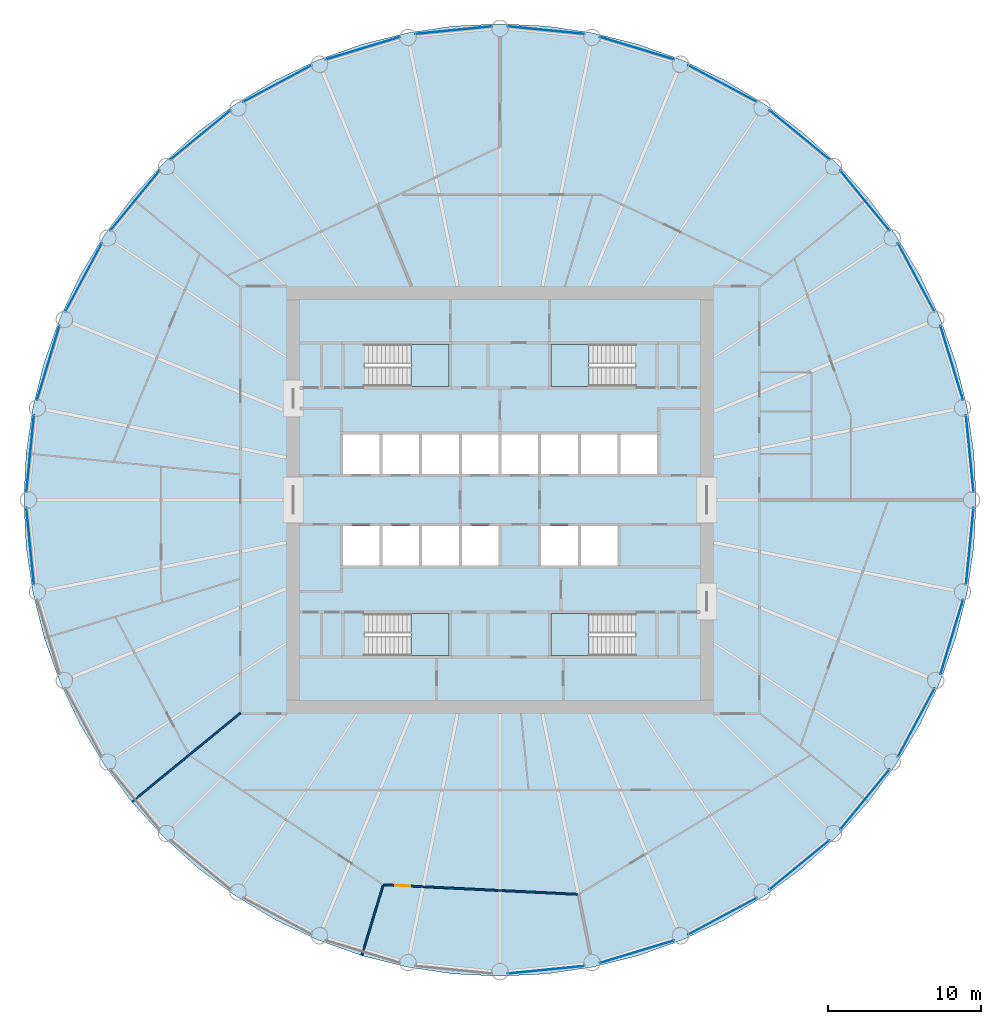
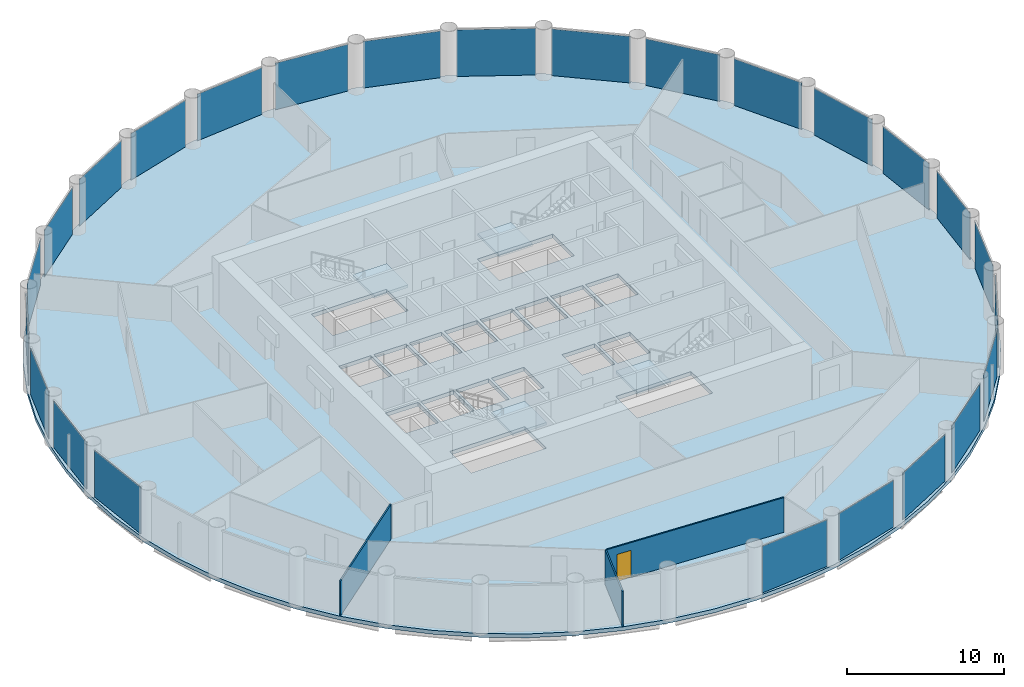
# One storey, part 3 of 9: 25 plates, 5 slabs, 3 walls, 1 door, 1 opening, 29 elements without a shape of their own.
"""IFC4 building model written with IfcOpenShell, lengths in metres."""

from ifc_helpers import new_model, si_unit, direction, frame, frame_2d, origin, origin_2d, place, context, subcontext, project, spatial, polyline, rectangle, outline, extrude, material, layer, layer_set, type_object, element, fill, aggregate, save


model = new_model("IFC4")

# Units and contexts
model_context = context("Model", 3, precision=1e-05, world=origin(), true_north=direction((0.0, 1.0)))
body_context = subcontext(model_context, "Body", "Model", "MODEL_VIEW")
ifc_project = project(units=[si_unit("LENGTHUNIT", "METRE"), si_unit("AREAUNIT", "SQUARE_METRE"), si_unit("VOLUMEUNIT", "CUBIC_METRE"), si_unit("PLANEANGLEUNIT", "RADIAN"), si_unit("MASSUNIT", "GRAM", prefix="KILO")], contexts=[model_context])

# Site, building, storey
site_placement = place(None, origin())
site = spatial("IfcSite", under=ifc_project, at=site_placement, CompositionType="ELEMENT")
building_placement = place(site_placement, origin())
building = spatial("IfcBuilding", under=site, at=building_placement, Name="Corvane Civic Tower", CompositionType="ELEMENT")
storey_placement = place(building_placement, frame((0.0, 0.0, 148.0)))
storey = spatial("IfcBuildingStorey", under=building, at=storey_placement, Name="L34", CompositionType="ELEMENT", Elevation=148.0)

# Slab
ifc_material_1 = material(Name="Concrete C40/50", Category="concrete")
ifc_layer_1 = layer(ifc_material_1, 0.300048828125)
ifc_layer_set_1 = layer_set([ifc_layer_1], Name="Concrete C40/50")
slab_type_1 = type_object("IfcSlabType", Name="FLOOR SLAB 300", PredefinedType="FLOOR", material=ifc_layer_set_1)
slab_1_placement = place(storey_placement, frame((0.0, 0.0, -0.300048828125)))
element("IfcSlab", 1, at=slab_1_placement, inside=storey, type_object=slab_type_1, Name="SLB-L34", PredefinedType="FLOOR", context=body_context, shape_type="SweptSolid", body=[
    extrude(outline(polyline([(0.0, 31.199951171875), (-3.05810546875, 31.0498046875), (-6.0869140625, 30.6005859375), (-9.056884765625, 29.8564453125), (-11.939697265625, 28.824951171875), (-14.70751953125, 27.515869140625), (-17.333740234375, 25.94189453125), (-19.79296875, 24.117919921875), (-22.061767578125, 22.061767578125), (-24.117919921875, 19.79296875), (-25.94189453125, 17.333740234375), (-27.515869140625, 14.70751953125), (-28.824951171875, 11.939697265625), (-29.8564453125, 9.056884765625), (-30.6005859375, 6.0869140625), (-31.0498046875, 3.05810546875), (-31.199951171875, 0.0), (-31.0498046875, -3.05810546875), (-30.6005859375, -6.0869140625), (-29.8564453125, -9.056884765625), (-28.824951171875, -11.939697265625), (-27.515869140625, -14.70751953125), (-25.94189453125, -17.333740234375), (-24.117919921875, -19.79296875), (-22.061767578125, -22.061767578125), (-19.79296875, -24.117919921875), (-17.333740234375, -25.94189453125), (-14.70751953125, -27.515869140625), (-11.939697265625, -28.824951171875), (-9.056884765625, -29.8564453125), (-6.0869140625, -30.6005859375), (-3.05810546875, -31.0498046875), (0.0, -31.199951171875), (3.05810546875, -31.0498046875), (6.0869140625, -30.6005859375), (9.056884765625, -29.8564453125), (11.939697265625, -28.824951171875), (14.70751953125, -27.515869140625), (17.333740234375, -25.94189453125), (19.79296875, -24.117919921875), (22.061767578125, -22.061767578125), (24.117919921875, -19.79296875), (25.94189453125, -17.333740234375), (27.515869140625, -14.70751953125), (28.824951171875, -11.939697265625), (29.8564453125, -9.056884765625), (30.6005859375, -6.0869140625), (31.0498046875, -3.05810546875), (31.199951171875, 0.0), (31.0498046875, 3.05810546875), (30.6005859375, 6.0869140625), (29.8564453125, 9.056884765625), (28.824951171875, 11.939697265625), (27.515869140625, 14.70751953125), (25.94189453125, 17.333740234375), (24.117919921875, 19.79296875), (22.061767578125, 22.061767578125), (19.79296875, 24.117919921875), (17.333740234375, 25.94189453125), (14.70751953125, 27.515869140625), (11.939697265625, 28.824951171875), (9.056884765625, 29.8564453125), (6.0869140625, 30.6005859375), (3.05810546875, 31.0498046875), (0.0, 31.199951171875)]), holes=[polyline([(-7.89990234375, 1.699951171875), (-10.300048828125, 1.699951171875), (-10.300048828125, 4.300048828125), (-7.89990234375, 4.300048828125), (-7.89990234375, 1.699951171875)]), polyline([(-7.699951171875, 4.300048828125), (-5.300048828125, 4.300048828125), (-5.300048828125, 1.699951171875), (-7.699951171875, 1.699951171875), (-7.699951171875, 4.300048828125)]), polyline([(-5.10009765625, 4.300048828125), (-2.699951171875, 4.300048828125), (-2.699951171875, 1.699951171875), (-5.10009765625, 1.699951171875), (-5.10009765625, 4.300048828125)]), polyline([(-0.10009765625, 4.300048828125), (-0.10009765625, 1.699951171875), (-2.5, 1.699951171875), (-2.5, 4.300048828125), (-0.10009765625, 4.300048828125)]), polyline([(0.10009765625, 4.300048828125), (2.5, 4.300048828125), (2.5, 1.699951171875), (0.10009765625, 1.699951171875), (0.10009765625, 4.300048828125)]), polyline([(2.699951171875, 4.300048828125), (5.10009765625, 4.300048828125), (5.10009765625, 1.699951171875), (2.699951171875, 1.699951171875), (2.699951171875, 4.300048828125)]), polyline([(5.300048828125, 4.300048828125), (7.699951171875, 4.300048828125), (7.699951171875, 1.699951171875), (5.300048828125, 1.699951171875), (5.300048828125, 4.300048828125)]), polyline([(7.89990234375, 4.300048828125), (10.300048828125, 4.300048828125), (10.300048828125, 1.699951171875), (7.89990234375, 1.699951171875), (7.89990234375, 4.300048828125)]), polyline([(-7.89990234375, -1.699951171875), (-7.89990234375, -4.300048828125), (-10.300048828125, -4.300048828125), (-10.300048828125, -1.699951171875), (-7.89990234375, -1.699951171875)]), polyline([(-7.699951171875, -4.300048828125), (-7.699951171875, -1.699951171875), (-5.300048828125, -1.699951171875), (-5.300048828125, -4.300048828125), (-7.699951171875, -4.300048828125)]), polyline([(-5.10009765625, -4.300048828125), (-5.10009765625, -1.699951171875), (-2.699951171875, -1.699951171875), (-2.699951171875, -4.300048828125), (-5.10009765625, -4.300048828125)]), polyline([(-0.10009765625, -1.699951171875), (-0.10009765625, -4.300048828125), (-2.5, -4.300048828125), (-2.5, -1.699951171875), (-0.10009765625, -1.699951171875)]), polyline([(5.10009765625, -1.699951171875), (5.10009765625, -4.300048828125), (2.699951171875, -4.300048828125), (2.699951171875, -1.699951171875), (5.10009765625, -1.699951171875)]), polyline([(7.699951171875, -1.699951171875), (7.699951171875, -4.300048828125), (5.300048828125, -4.300048828125), (5.300048828125, -1.699951171875), (7.699951171875, -1.699951171875)]), polyline([(8.889892578125, 10.199951171875), (8.889892578125, 7.449951171875), (3.35009765625, 7.449951171875), (3.35009765625, 10.199951171875), (8.889892578125, 10.199951171875)]), polyline([(-8.889892578125, 7.449951171875), (-8.889892578125, 10.199951171875), (-3.35009765625, 10.199951171875), (-3.35009765625, 7.449951171875), (-8.889892578125, 7.449951171875)]), polyline([(8.889892578125, -7.449951171875), (8.889892578125, -10.199951171875), (3.35009765625, -10.199951171875), (3.35009765625, -7.449951171875), (8.889892578125, -7.449951171875)]), polyline([(-8.889892578125, -10.199951171875), (-8.889892578125, -7.449951171875), (-3.35009765625, -7.449951171875), (-3.35009765625, -10.199951171875), (-8.889892578125, -10.199951171875)])]), origin(), (0.0, 0.0, 1.0), 0.300048828125),
])

# Stair, slab
ifc_material_2 = material(Name="Concrete C40/50", Category="concrete")
stair_type = type_object("IfcStairType", Name="ST-STAIR-HALFTURN", PredefinedType="HALF_TURN_STAIR", material=ifc_material_2)
stair_1_placement = place(storey_placement, origin())
stair_1 = element("IfcStair", 2, at=stair_1_placement, inside=storey, type_object=stair_type, Name="L34 Exit stair ST1", PredefinedType="HALF_TURN_STAIR")
ifc_material_3 = material(Name="Concrete C40/50", Category="concrete")
ifc_layer_2 = layer(ifc_material_3, 0.199951171875)
ifc_layer_set_2 = layer_set([ifc_layer_2], Name="Concrete C40/50")
slab_type_2 = type_object("IfcSlabType", Name="ST-LANDING-RC", PredefinedType="LANDING", material=ifc_layer_set_2)
slab_2_placement = place(storey_placement, frame((0.0, 0.0, 1.800048828125)))
slab_2 = element("IfcSlab", 3, at=slab_2_placement, type_object=slab_type_2, Name="ST1 landing 1", PredefinedType="LANDING", context=body_context, shape_type="SweptSolid", body=[
    extrude(outline(polyline([(5.820068359375, 10.199951171875), (3.35009765625, 10.199951171875), (3.35009765625, 7.449951171875), (5.820068359375, 7.449951171875), (5.820068359375, 10.199951171875)])), origin(), (0.0, 0.0, 1.0), 0.199951171875),
])
aggregate(stair_1, [slab_2])

stair_2_placement = place(storey_placement, origin())
stair_2 = element("IfcStair", 4, at=stair_2_placement, inside=storey, type_object=stair_type, Name="L34 Exit stair ST2", PredefinedType="HALF_TURN_STAIR")
slab_3_placement = place(storey_placement, frame((0.0, 0.0, 1.800048828125)))
slab_3 = element("IfcSlab", 5, at=slab_3_placement, type_object=slab_type_2, Name="ST2 landing 1", PredefinedType="LANDING", context=body_context, shape_type="SweptSolid", body=[
    extrude(outline(polyline([(5.820068359375, -7.449951171875), (3.35009765625, -7.449951171875), (3.35009765625, -10.199951171875), (5.820068359375, -10.199951171875), (5.820068359375, -7.449951171875)])), origin(), (0.0, 0.0, 1.0), 0.199951171875),
])
aggregate(stair_2, [slab_3])

stair_3_placement = place(storey_placement, origin())
stair_3 = element("IfcStair", 6, at=stair_3_placement, inside=storey, type_object=stair_type, Name="L34 Exit stair ST3", PredefinedType="HALF_TURN_STAIR")
slab_4_placement = place(storey_placement, frame((0.0, 0.0, 1.800048828125)))
slab_4 = element("IfcSlab", 7, at=slab_4_placement, type_object=slab_type_2, Name="ST3 landing 1", PredefinedType="LANDING", context=body_context, shape_type="SweptSolid", body=[
    extrude(outline(polyline([(-5.820068359375, -10.199951171875), (-3.35009765625, -10.199951171875), (-3.35009765625, -7.449951171875), (-5.820068359375, -7.449951171875), (-5.820068359375, -10.199951171875)])), origin(), (0.0, 0.0, 1.0), 0.199951171875),
])
aggregate(stair_3, [slab_4])

stair_4_placement = place(storey_placement, origin())
stair_4 = element("IfcStair", 8, at=stair_4_placement, inside=storey, type_object=stair_type, Name="L34 Exit stair ST4", PredefinedType="HALF_TURN_STAIR")
slab_5_placement = place(storey_placement, frame((0.0, 0.0, 1.800048828125)))
slab_5 = element("IfcSlab", 9, at=slab_5_placement, type_object=slab_type_2, Name="ST4 landing 1", PredefinedType="LANDING", context=body_context, shape_type="SweptSolid", body=[
    extrude(outline(polyline([(-5.820068359375, 7.449951171875), (-3.35009765625, 7.449951171875), (-3.35009765625, 10.199951171875), (-5.820068359375, 10.199951171875), (-5.820068359375, 7.449951171875)])), origin(), (0.0, 0.0, 1.0), 0.199951171875),
])
aggregate(stair_4, [slab_5])

# Curtain wall, plate
ifc_material_4 = material(Name="Anodised aluminium bronze", Category="aluminium")
curtain_wall_type = type_object("IfcCurtainWallType", Name="TOWER CW-T2 STICK CURTAIN WALL", PredefinedType="NOTDEFINED", material=ifc_material_4)
curtain_wall_1_placement = place(storey_placement, origin())
curtain_wall_1 = element("IfcCurtainWall", 10, at=curtain_wall_1_placement, inside=storey, type_object=curtain_wall_type, Name="Curtain wall CW-T2 L34 bay 01", PredefinedType="NOTDEFINED")
ifc_material_5 = material(Name="Tinted glass", Category="glass")
ifc_layer_3 = layer(ifc_material_5, 0.031982421875)
ifc_layer_set_3 = layer_set([ifc_layer_3], Name="Tinted glass")
plate_type = type_object("IfcPlateType", Name="TOWER CW-T2 PANEL IGU32", PredefinedType="CURTAIN_PANEL", material=ifc_layer_set_3)
plate_1_placement = place(storey_placement, frame((3.03173828125, 30.781494140625, 0.0), z_axis=(0.0, 0.0, 1.0), x_axis=(0.995185244531, -0.098011882274, 0.0)))
plate_1 = element("IfcPlate", 11, at=plate_1_placement, type_object=plate_type, Name="Glass panel CW-T2 L34 01.1", PredefinedType="CURTAIN_PANEL", context=body_context, shape_type="SweptSolid", body=[
    extrude(rectangle(XDim=5.07763671875, YDim=0.031982421875, at=origin_2d()), origin(), (0.0, 0.0, 1.0), 3.6298828125),
])
aggregate(curtain_wall_1, [plate_1])

curtain_wall_2_placement = place(storey_placement, origin())
curtain_wall_2 = element("IfcCurtainWall", 12, at=curtain_wall_2_placement, inside=storey, type_object=curtain_wall_type, Name="Curtain wall CW-T2 L34 bay 02", PredefinedType="NOTDEFINED")
plate_2_placement = place(storey_placement, frame((8.978515625, 29.5986328125, 0.0), z_axis=(0.0, 0.0, 1.0), x_axis=(0.956931677007, -0.290313219714, 0.0)))
plate_2 = element("IfcPlate", 13, at=plate_2_placement, type_object=plate_type, Name="Glass panel CW-T2 L34 02.1", PredefinedType="CURTAIN_PANEL", context=body_context, shape_type="SweptSolid", body=[
    extrude(rectangle(XDim=5.077392578125, YDim=0.031982421875, at=origin_2d()), origin(), (0.0, 0.0, 1.0), 3.6298828125),
])
aggregate(curtain_wall_2, [plate_2])

curtain_wall_3_placement = place(storey_placement, origin())
curtain_wall_3 = element("IfcCurtainWall", 14, at=curtain_wall_3_placement, inside=storey, type_object=curtain_wall_type, Name="Curtain wall CW-T2 L34 bay 03", PredefinedType="NOTDEFINED")
plate_3_placement = place(storey_placement, frame((14.58056640625, 27.278076171875, 0.0), z_axis=(0.0, 0.0, 1.0), x_axis=(0.881922190434, -0.471395004238, 0.0)))
plate_3 = element("IfcPlate", 15, at=plate_3_placement, type_object=plate_type, Name="Glass panel CW-T2 L34 03.1", PredefinedType="CURTAIN_PANEL", context=body_context, shape_type="SweptSolid", body=[
    extrude(rectangle(XDim=5.077392578125, YDim=0.031982421875, at=origin_2d()), origin(), (0.0, 0.0, 1.0), 3.6298828125),
])
aggregate(curtain_wall_3, [plate_3])

curtain_wall_4_placement = place(storey_placement, origin())
curtain_wall_4 = element("IfcCurtainWall", 16, at=curtain_wall_4_placement, inside=storey, type_object=curtain_wall_type, Name="Curtain wall CW-T2 L34 bay 04", PredefinedType="NOTDEFINED")
plate_4_placement = place(storey_placement, frame((19.6220703125, 23.909423828125, 0.0), z_axis=(0.0, 0.0, 1.0), x_axis=(0.773004844196, -0.634400118891, 0.0)))
plate_4 = element("IfcPlate", 17, at=plate_4_placement, type_object=plate_type, Name="Glass panel CW-T2 L34 04.1", PredefinedType="CURTAIN_PANEL", context=body_context, shape_type="SweptSolid", body=[
    extrude(rectangle(XDim=5.0771484375, YDim=0.031982421875, at=origin_2d()), origin(), (0.0, 0.0, 1.0), 3.6298828125),
])
aggregate(curtain_wall_4, [plate_4])

curtain_wall_5_placement = place(storey_placement, origin())
curtain_wall_5 = element("IfcCurtainWall", 18, at=curtain_wall_5_placement, inside=storey, type_object=curtain_wall_type, Name="Curtain wall CW-T2 L34 bay 05", PredefinedType="NOTDEFINED")
plate_5_placement = place(storey_placement, frame((23.909423828125, 19.6220703125, 0.0), z_axis=(0.0, 0.0, 1.0), x_axis=(0.634400118891, -0.773004844196, 0.0)))
plate_5 = element("IfcPlate", 19, at=plate_5_placement, type_object=plate_type, Name="Glass panel CW-T2 L34 05.1", PredefinedType="CURTAIN_PANEL", context=body_context, shape_type="SweptSolid", body=[
    extrude(rectangle(XDim=5.0771484375, YDim=0.031982421875, at=origin_2d()), origin(), (0.0, 0.0, 1.0), 3.6298828125),
])
aggregate(curtain_wall_5, [plate_5])

curtain_wall_6_placement = place(storey_placement, origin())
curtain_wall_6 = element("IfcCurtainWall", 20, at=curtain_wall_6_placement, inside=storey, type_object=curtain_wall_type, Name="Curtain wall CW-T2 L34 bay 06", PredefinedType="NOTDEFINED")
plate_6_placement = place(storey_placement, frame((27.278076171875, 14.58056640625, 0.0), z_axis=(0.0, 0.0, 1.0), x_axis=(0.471395004238, -0.881922190434, 0.0)))
plate_6 = element("IfcPlate", 21, at=plate_6_placement, type_object=plate_type, Name="Glass panel CW-T2 L34 06.1", PredefinedType="CURTAIN_PANEL", context=body_context, shape_type="SweptSolid", body=[
    extrude(rectangle(XDim=5.077392578125, YDim=0.031982421875, at=origin_2d()), origin(), (0.0, 0.0, 1.0), 3.6298828125),
])
aggregate(curtain_wall_6, [plate_6])

curtain_wall_7_placement = place(storey_placement, origin())
curtain_wall_7 = element("IfcCurtainWall", 22, at=curtain_wall_7_placement, inside=storey, type_object=curtain_wall_type, Name="Curtain wall CW-T2 L34 bay 07", PredefinedType="NOTDEFINED")
plate_7_placement = place(storey_placement, frame((29.5986328125, 8.978515625, 0.0), z_axis=(0.0, 0.0, 1.0), x_axis=(0.290313219714, -0.956931677007, 0.0)))
plate_7 = element("IfcPlate", 23, at=plate_7_placement, type_object=plate_type, Name="Glass panel CW-T2 L34 07.1", PredefinedType="CURTAIN_PANEL", context=body_context, shape_type="SweptSolid", body=[
    extrude(rectangle(XDim=5.077392578125, YDim=0.031982421875, at=origin_2d()), origin(), (0.0, 0.0, 1.0), 3.6298828125),
])
aggregate(curtain_wall_7, [plate_7])

curtain_wall_8_placement = place(storey_placement, origin())
curtain_wall_8 = element("IfcCurtainWall", 24, at=curtain_wall_8_placement, inside=storey, type_object=curtain_wall_type, Name="Curtain wall CW-T2 L34 bay 08", PredefinedType="NOTDEFINED")
plate_8_placement = place(storey_placement, frame((30.781494140625, 3.03173828125, 0.0), z_axis=(0.0, 0.0, 1.0), x_axis=(0.098011882274, -0.995185244531, 0.0)))
plate_8 = element("IfcPlate", 25, at=plate_8_placement, type_object=plate_type, Name="Glass panel CW-T2 L34 08.1", PredefinedType="CURTAIN_PANEL", context=body_context, shape_type="SweptSolid", body=[
    extrude(rectangle(XDim=5.07763671875, YDim=0.031982421875, at=origin_2d()), origin(), (0.0, 0.0, 1.0), 3.6298828125),
])
aggregate(curtain_wall_8, [plate_8])

curtain_wall_9_placement = place(storey_placement, origin())
curtain_wall_9 = element("IfcCurtainWall", 26, at=curtain_wall_9_placement, inside=storey, type_object=curtain_wall_type, Name="Curtain wall CW-T2 L34 bay 09", PredefinedType="NOTDEFINED")
plate_9_placement = place(storey_placement, frame((30.781494140625, -3.03173828125, 0.0), z_axis=(0.0, 0.0, 1.0), x_axis=(-0.098011882274, -0.995185244531, 0.0)))
plate_9 = element("IfcPlate", 27, at=plate_9_placement, type_object=plate_type, Name="Glass panel CW-T2 L34 09.1", PredefinedType="CURTAIN_PANEL", context=body_context, shape_type="SweptSolid", body=[
    extrude(rectangle(XDim=5.07763671875, YDim=0.031982421875, at=origin_2d()), origin(), (0.0, 0.0, 1.0), 3.6298828125),
])
aggregate(curtain_wall_9, [plate_9])

curtain_wall_10_placement = place(storey_placement, origin())
curtain_wall_10 = element("IfcCurtainWall", 28, at=curtain_wall_10_placement, inside=storey, type_object=curtain_wall_type, Name="Curtain wall CW-T2 L34 bay 10", PredefinedType="NOTDEFINED")
plate_10_placement = place(storey_placement, frame((29.5986328125, -8.978515625, 0.0), z_axis=(0.0, 0.0, 1.0), x_axis=(-0.290313219714, -0.956931677007, 0.0)))
plate_10 = element("IfcPlate", 29, at=plate_10_placement, type_object=plate_type, Name="Glass panel CW-T2 L34 10.1", PredefinedType="CURTAIN_PANEL", context=body_context, shape_type="SweptSolid", body=[
    extrude(rectangle(XDim=5.077392578125, YDim=0.031982421875, at=origin_2d()), origin(), (0.0, 0.0, 1.0), 3.6298828125),
])
aggregate(curtain_wall_10, [plate_10])

curtain_wall_11_placement = place(storey_placement, origin())
curtain_wall_11 = element("IfcCurtainWall", 30, at=curtain_wall_11_placement, inside=storey, type_object=curtain_wall_type, Name="Curtain wall CW-T2 L34 bay 11", PredefinedType="NOTDEFINED")
plate_11_placement = place(storey_placement, frame((27.278076171875, -14.58056640625, 0.0), z_axis=(0.0, 0.0, 1.0), x_axis=(-0.471395004238, -0.881922190434, 0.0)))
plate_11 = element("IfcPlate", 31, at=plate_11_placement, type_object=plate_type, Name="Glass panel CW-T2 L34 11.1", PredefinedType="CURTAIN_PANEL", context=body_context, shape_type="SweptSolid", body=[
    extrude(rectangle(XDim=5.077392578125, YDim=0.031982421875, at=origin_2d()), origin(), (0.0, 0.0, 1.0), 3.6298828125),
])
aggregate(curtain_wall_11, [plate_11])

curtain_wall_12_placement = place(storey_placement, origin())
curtain_wall_12 = element("IfcCurtainWall", 32, at=curtain_wall_12_placement, inside=storey, type_object=curtain_wall_type, Name="Curtain wall CW-T2 L34 bay 12", PredefinedType="NOTDEFINED")
plate_12_placement = place(storey_placement, frame((23.909423828125, -19.6220703125, 0.0), z_axis=(0.0, 0.0, 1.0), x_axis=(-0.634400118891, -0.773004844196, 0.0)))
plate_12 = element("IfcPlate", 33, at=plate_12_placement, type_object=plate_type, Name="Glass panel CW-T2 L34 12.1", PredefinedType="CURTAIN_PANEL", context=body_context, shape_type="SweptSolid", body=[
    extrude(rectangle(XDim=5.0771484375, YDim=0.031982421875, at=origin_2d()), origin(), (0.0, 0.0, 1.0), 3.6298828125),
])
aggregate(curtain_wall_12, [plate_12])

curtain_wall_13_placement = place(storey_placement, origin())
curtain_wall_13 = element("IfcCurtainWall", 34, at=curtain_wall_13_placement, inside=storey, type_object=curtain_wall_type, Name="Curtain wall CW-T2 L34 bay 13", PredefinedType="NOTDEFINED")
plate_13_placement = place(storey_placement, frame((19.6220703125, -23.909423828125, 0.0), z_axis=(0.0, 0.0, 1.0), x_axis=(-0.773004844196, -0.634400118891, 0.0)))
plate_13 = element("IfcPlate", 35, at=plate_13_placement, type_object=plate_type, Name="Glass panel CW-T2 L34 13.1", PredefinedType="CURTAIN_PANEL", context=body_context, shape_type="SweptSolid", body=[
    extrude(rectangle(XDim=5.0771484375, YDim=0.031982421875, at=origin_2d()), origin(), (0.0, 0.0, 1.0), 3.6298828125),
])
aggregate(curtain_wall_13, [plate_13])

curtain_wall_14_placement = place(storey_placement, origin())
curtain_wall_14 = element("IfcCurtainWall", 36, at=curtain_wall_14_placement, inside=storey, type_object=curtain_wall_type, Name="Curtain wall CW-T2 L34 bay 14", PredefinedType="NOTDEFINED")
plate_14_placement = place(storey_placement, frame((14.58056640625, -27.278076171875, 0.0), z_axis=(0.0, 0.0, 1.0), x_axis=(-0.881922190434, -0.471395004238, 0.0)))
plate_14 = element("IfcPlate", 37, at=plate_14_placement, type_object=plate_type, Name="Glass panel CW-T2 L34 14.1", PredefinedType="CURTAIN_PANEL", context=body_context, shape_type="SweptSolid", body=[
    extrude(rectangle(XDim=5.077392578125, YDim=0.031982421875, at=origin_2d()), origin(), (0.0, 0.0, 1.0), 3.6298828125),
])
aggregate(curtain_wall_14, [plate_14])

curtain_wall_15_placement = place(storey_placement, origin())
curtain_wall_15 = element("IfcCurtainWall", 38, at=curtain_wall_15_placement, inside=storey, type_object=curtain_wall_type, Name="Curtain wall CW-T2 L34 bay 15", PredefinedType="NOTDEFINED")
plate_15_placement = place(storey_placement, frame((8.978515625, -29.5986328125, 0.0), z_axis=(0.0, 0.0, 1.0), x_axis=(-0.956931677007, -0.290313219714, 0.0)))
plate_15 = element("IfcPlate", 39, at=plate_15_placement, type_object=plate_type, Name="Glass panel CW-T2 L34 15.1", PredefinedType="CURTAIN_PANEL", context=body_context, shape_type="SweptSolid", body=[
    extrude(rectangle(XDim=5.077392578125, YDim=0.031982421875, at=origin_2d()), origin(), (0.0, 0.0, 1.0), 3.6298828125),
])
aggregate(curtain_wall_15, [plate_15])

curtain_wall_16_placement = place(storey_placement, origin())
curtain_wall_16 = element("IfcCurtainWall", 40, at=curtain_wall_16_placement, inside=storey, type_object=curtain_wall_type, Name="Curtain wall CW-T2 L34 bay 16", PredefinedType="NOTDEFINED")
plate_16_placement = place(storey_placement, frame((3.03173828125, -30.781494140625, 0.0), z_axis=(0.0, 0.0, 1.0), x_axis=(-0.995185244531, -0.098011882274, 0.0)))
plate_16 = element("IfcPlate", 41, at=plate_16_placement, type_object=plate_type, Name="Glass panel CW-T2 L34 16.1", PredefinedType="CURTAIN_PANEL", context=body_context, shape_type="SweptSolid", body=[
    extrude(rectangle(XDim=5.07763671875, YDim=0.031982421875, at=origin_2d()), origin(), (0.0, 0.0, 1.0), 3.6298828125),
])
aggregate(curtain_wall_16, [plate_16])

curtain_wall_17_placement = place(storey_placement, origin())
curtain_wall_17 = element("IfcCurtainWall", 42, at=curtain_wall_17_placement, inside=storey, type_object=curtain_wall_type, Name="Curtain wall CW-T2 L34 bay 24", PredefinedType="NOTDEFINED")
plate_17_placement = place(storey_placement, frame((-30.781494140625, -3.03173828125, 0.0), z_axis=(0.0, 0.0, 1.0), x_axis=(-0.098011882274, 0.995185244531, 0.0)))
plate_17 = element("IfcPlate", 43, at=plate_17_placement, type_object=plate_type, Name="Glass panel CW-T2 L34 24.1", PredefinedType="CURTAIN_PANEL", context=body_context, shape_type="SweptSolid", body=[
    extrude(rectangle(XDim=5.07763671875, YDim=0.031982421875, at=origin_2d()), origin(), (0.0, 0.0, 1.0), 3.6298828125),
])
aggregate(curtain_wall_17, [plate_17])

curtain_wall_18_placement = place(storey_placement, origin())
curtain_wall_18 = element("IfcCurtainWall", 44, at=curtain_wall_18_placement, inside=storey, type_object=curtain_wall_type, Name="Curtain wall CW-T2 L34 bay 25", PredefinedType="NOTDEFINED")
plate_18_placement = place(storey_placement, frame((-30.781494140625, 3.03173828125, 0.0), z_axis=(0.0, 0.0, 1.0), x_axis=(0.098011882274, 0.995185244531, 0.0)))
plate_18 = element("IfcPlate", 45, at=plate_18_placement, type_object=plate_type, Name="Glass panel CW-T2 L34 25.1", PredefinedType="CURTAIN_PANEL", context=body_context, shape_type="SweptSolid", body=[
    extrude(rectangle(XDim=5.07763671875, YDim=0.031982421875, at=origin_2d()), origin(), (0.0, 0.0, 1.0), 3.6298828125),
])
aggregate(curtain_wall_18, [plate_18])

curtain_wall_19_placement = place(storey_placement, origin())
curtain_wall_19 = element("IfcCurtainWall", 46, at=curtain_wall_19_placement, inside=storey, type_object=curtain_wall_type, Name="Curtain wall CW-T2 L34 bay 26", PredefinedType="NOTDEFINED")
plate_19_placement = place(storey_placement, frame((-29.5986328125, 8.978515625, 0.0), z_axis=(0.0, 0.0, 1.0), x_axis=(0.290313219714, 0.956931677007, 0.0)))
plate_19 = element("IfcPlate", 47, at=plate_19_placement, type_object=plate_type, Name="Glass panel CW-T2 L34 26.1", PredefinedType="CURTAIN_PANEL", context=body_context, shape_type="SweptSolid", body=[
    extrude(rectangle(XDim=5.077392578125, YDim=0.031982421875, at=origin_2d()), origin(), (0.0, 0.0, 1.0), 3.6298828125),
])
aggregate(curtain_wall_19, [plate_19])

curtain_wall_20_placement = place(storey_placement, origin())
curtain_wall_20 = element("IfcCurtainWall", 48, at=curtain_wall_20_placement, inside=storey, type_object=curtain_wall_type, Name="Curtain wall CW-T2 L34 bay 27", PredefinedType="NOTDEFINED")
plate_20_placement = place(storey_placement, frame((-27.278076171875, 14.58056640625, 0.0), z_axis=(0.0, 0.0, 1.0), x_axis=(0.471395004238, 0.881922190434, 0.0)))
plate_20 = element("IfcPlate", 49, at=plate_20_placement, type_object=plate_type, Name="Glass panel CW-T2 L34 27.1", PredefinedType="CURTAIN_PANEL", context=body_context, shape_type="SweptSolid", body=[
    extrude(rectangle(XDim=5.077392578125, YDim=0.031982421875, at=origin_2d()), origin(), (0.0, 0.0, 1.0), 3.6298828125),
])
aggregate(curtain_wall_20, [plate_20])

curtain_wall_21_placement = place(storey_placement, origin())
curtain_wall_21 = element("IfcCurtainWall", 50, at=curtain_wall_21_placement, inside=storey, type_object=curtain_wall_type, Name="Curtain wall CW-T2 L34 bay 28", PredefinedType="NOTDEFINED")
plate_21_placement = place(storey_placement, frame((-23.909423828125, 19.6220703125, 0.0), z_axis=(0.0, 0.0, 1.0), x_axis=(0.634400118891, 0.773004844196, 0.0)))
plate_21 = element("IfcPlate", 51, at=plate_21_placement, type_object=plate_type, Name="Glass panel CW-T2 L34 28.1", PredefinedType="CURTAIN_PANEL", context=body_context, shape_type="SweptSolid", body=[
    extrude(rectangle(XDim=5.0771484375, YDim=0.031982421875, at=origin_2d()), origin(), (0.0, 0.0, 1.0), 3.6298828125),
])
aggregate(curtain_wall_21, [plate_21])

curtain_wall_22_placement = place(storey_placement, origin())
curtain_wall_22 = element("IfcCurtainWall", 52, at=curtain_wall_22_placement, inside=storey, type_object=curtain_wall_type, Name="Curtain wall CW-T2 L34 bay 29", PredefinedType="NOTDEFINED")
plate_22_placement = place(storey_placement, frame((-19.6220703125, 23.909423828125, 0.0), z_axis=(0.0, 0.0, 1.0), x_axis=(0.773004844196, 0.634400118891, 0.0)))
plate_22 = element("IfcPlate", 53, at=plate_22_placement, type_object=plate_type, Name="Glass panel CW-T2 L34 29.1", PredefinedType="CURTAIN_PANEL", context=body_context, shape_type="SweptSolid", body=[
    extrude(rectangle(XDim=5.0771484375, YDim=0.031982421875, at=origin_2d()), origin(), (0.0, 0.0, 1.0), 3.6298828125),
])
aggregate(curtain_wall_22, [plate_22])

curtain_wall_23_placement = place(storey_placement, origin())
curtain_wall_23 = element("IfcCurtainWall", 54, at=curtain_wall_23_placement, inside=storey, type_object=curtain_wall_type, Name="Curtain wall CW-T2 L34 bay 30", PredefinedType="NOTDEFINED")
plate_23_placement = place(storey_placement, frame((-14.58056640625, 27.278076171875, 0.0), z_axis=(0.0, 0.0, 1.0), x_axis=(0.881922190434, 0.471395004238, 0.0)))
plate_23 = element("IfcPlate", 55, at=plate_23_placement, type_object=plate_type, Name="Glass panel CW-T2 L34 30.1", PredefinedType="CURTAIN_PANEL", context=body_context, shape_type="SweptSolid", body=[
    extrude(rectangle(XDim=5.077392578125, YDim=0.031982421875, at=origin_2d()), origin(), (0.0, 0.0, 1.0), 3.6298828125),
])
aggregate(curtain_wall_23, [plate_23])

curtain_wall_24_placement = place(storey_placement, origin())
curtain_wall_24 = element("IfcCurtainWall", 56, at=curtain_wall_24_placement, inside=storey, type_object=curtain_wall_type, Name="Curtain wall CW-T2 L34 bay 31", PredefinedType="NOTDEFINED")
plate_24_placement = place(storey_placement, frame((-8.978515625, 29.5986328125, 0.0), z_axis=(0.0, 0.0, 1.0), x_axis=(0.956931677007, 0.290313219714, 0.0)))
plate_24 = element("IfcPlate", 57, at=plate_24_placement, type_object=plate_type, Name="Glass panel CW-T2 L34 31.1", PredefinedType="CURTAIN_PANEL", context=body_context, shape_type="SweptSolid", body=[
    extrude(rectangle(XDim=5.077392578125, YDim=0.031982421875, at=origin_2d()), origin(), (0.0, 0.0, 1.0), 3.6298828125),
])
aggregate(curtain_wall_24, [plate_24])

curtain_wall_25_placement = place(storey_placement, origin())
curtain_wall_25 = element("IfcCurtainWall", 58, at=curtain_wall_25_placement, inside=storey, type_object=curtain_wall_type, Name="Curtain wall CW-T2 L34 bay 32", PredefinedType="NOTDEFINED")
plate_25_placement = place(storey_placement, frame((-3.03173828125, 30.781494140625, 0.0), z_axis=(0.0, 0.0, 1.0), x_axis=(0.995185244531, 0.098011882274, 0.0)))
plate_25 = element("IfcPlate", 59, at=plate_25_placement, type_object=plate_type, Name="Glass panel CW-T2 L34 32.1", PredefinedType="CURTAIN_PANEL", context=body_context, shape_type="SweptSolid", body=[
    extrude(rectangle(XDim=5.07763671875, YDim=0.031982421875, at=origin_2d()), origin(), (0.0, 0.0, 1.0), 3.6298828125),
])
aggregate(curtain_wall_25, [plate_25])

# Wall
ifc_material_6 = material(Name="Plasterboard")
ifc_layer_4 = layer(ifc_material_6, 0.10009765625)
ifc_layer_set_4 = layer_set([ifc_layer_4], Name="Plasterboard")
wall_type = type_object("IfcWallType", Name="Partition 100 plasterboard on studs", PredefinedType="PARTITIONING", material=ifc_layer_set_4)
wall_1_placement = place(storey_placement, frame((-9.04248046875, -29.808837890625, 0.0), z_axis=(0.0, 0.0, 1.0), x_axis=(0.290297366952, 0.956936486263, 0.0)))
element("IfcWall", 60, at=wall_1_placement, inside=storey, type_object=wall_type, Name="Partition L34.001", PredefinedType="PARTITIONING", context=body_context, shape_type="SweptSolid", body=[
    extrude(rectangle(XDim=4.766845703125, YDim=0.10009765625, at=frame_2d((2.38330078125, 0.0))), origin(), (0.0, 0.0, 1.0), 2.699951171875),
])

# Wall, opening, door
wall_2_placement = place(storey_placement, frame((-7.6083984375, -25.2119140625, 0.0), z_axis=(0.0, 0.0, 1.0), x_axis=(0.99879578275, -0.049061026904, 0.0)))
wall_2 = element("IfcWall", 61, at=wall_2_placement, inside=storey, type_object=wall_type, Name="Partition L34.003", PredefinedType="PARTITIONING", context=body_context, shape_type="SweptSolid", body=[
    extrude(rectangle(XDim=12.724365234375, YDim=0.10009765625, at=frame_2d((6.3623046875, 0.0))), origin(), (0.0, 0.0, 1.0), 2.699951171875),
])
opening_placement = place(wall_2_placement, frame((0.74267578125, 0.0, 0.0)))
opening = element("IfcOpeningElement", 62, at=opening_placement, cuts=wall_2, Name="Opening L34.007", PredefinedType="OPENING", context=body_context, shape_type="SweptSolid", body=[
    extrude(rectangle(XDim=1.0, YDim=2.10009765625, at=frame_2d((0.5, 1.050048828125))), frame((0.0, 0.06005859375, 0.0), z_axis=(0.0, -1.0, 0.0), x_axis=(1.0, 0.0, 0.0)), (0.0, 0.0, 1.0), 0.1201171875),
])
ifc_material_7 = material(Name="Timber", Category="wood")
door_type = type_object("IfcDoorType", Name="Single door 1000", OperationType="NOTDEFINED", PredefinedType="DOOR", material=ifc_material_7)
door_placement = place(opening_placement, frame((1.0, 0.0, 0.0), z_axis=(0.0, 0.0, 1.0), x_axis=(-1.0, 0.0, 0.0)))
door = element("IfcDoor", 63, at=door_placement, inside=storey, type_object=door_type, Name="Door L34.007", OperationType="SINGLE_SWING_LEFT", OverallHeight=2.10009765625, OverallWidth=1.0, PredefinedType="DOOR", context=body_context, shape_type="SweptSolid", body=[
    extrude(rectangle(XDim=1.0, YDim=2.10009765625, at=frame_2d((0.5, 1.050048828125))), frame((0.0, 0.02490234375, 0.0), z_axis=(0.0, -1.0, 0.0), x_axis=(1.0, 0.0, 0.0)), (0.0, 0.0, 1.0), 0.050048828125),
])
fill(opening, door)

# Wall
wall_3_placement = place(storey_placement, frame((-24.079345703125, -19.761474609375, 0.0), z_axis=(0.0, 0.0, 1.0), x_axis=(0.773006154143, 0.634398522742, 0.0)))
element("IfcWall", 64, at=wall_3_placement, inside=storey, type_object=wall_type, Name="Partition L34.006", PredefinedType="PARTITIONING", context=body_context, shape_type="SweptSolid", body=[
    extrude(rectangle(XDim=9.134521484375, YDim=0.10009765625, at=frame_2d((4.5673828125, 0.0))), origin(), (0.0, 0.0, 1.0), 2.699951171875),
])

save(model, "model.ifc")
